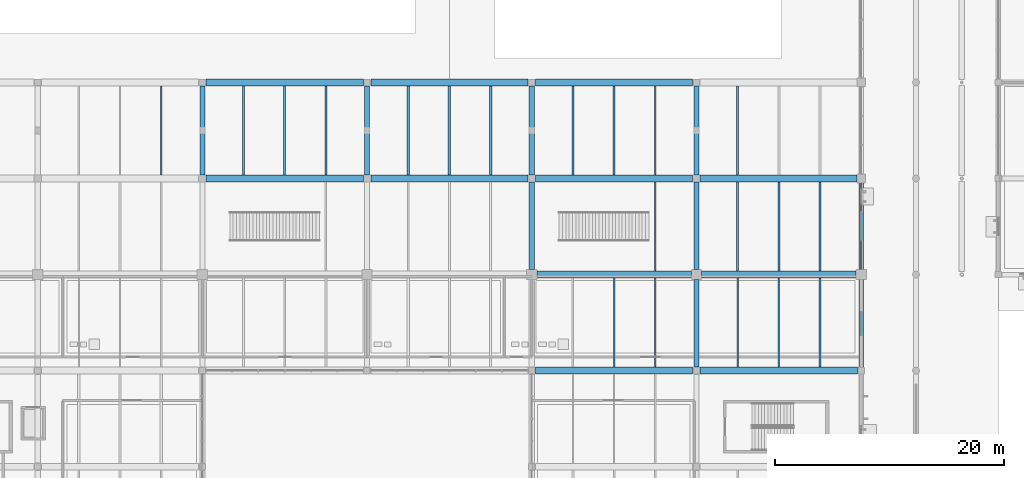
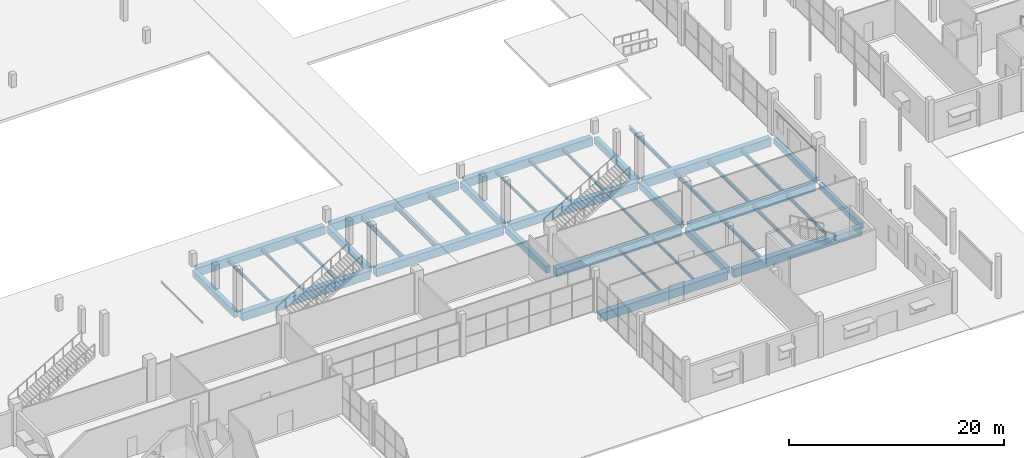
# One storey, part 33 of 130: 41 beams.
"""IFC4 building model written with IfcOpenShell, lengths in metres."""

from ifc_helpers import new_model, si_unit, direction, frame, origin, origin_2d, place, context, subcontext, project, spatial, rectangle, hollow_rectangle, i_section, extrude, material, material_profile, profile_set, type_object, element, save


model = new_model("IFC4")

# Units and contexts
model_context = context("Model", 3, precision=1e-05, world=origin(), true_north=direction((0.0, 1.0)))
body_context = subcontext(model_context, "Body", "Model", "MODEL_VIEW")
ifc_project = project(units=[si_unit("LENGTHUNIT", "METRE"), si_unit("AREAUNIT", "SQUARE_METRE"), si_unit("VOLUMEUNIT", "CUBIC_METRE"), si_unit("PLANEANGLEUNIT", "RADIAN"), si_unit("MASSUNIT", "GRAM", prefix="KILO"), si_unit("THERMODYNAMICTEMPERATUREUNIT", "KELVIN")], contexts=[model_context])

# Site, building, storey
site_placement = place(None, origin())
site = spatial("IfcSite", under=ifc_project, at=site_placement, CompositionType="ELEMENT")
building_placement = place(site_placement, origin())
building = spatial("IfcBuilding", under=site, at=building_placement, Name="Nduvali Passage Aquatics Centre", CompositionType="ELEMENT")
storey_placement = place(building_placement, origin())
storey = spatial("IfcBuildingStorey", under=building, at=storey_placement, Name="L00", CompositionType="ELEMENT", Elevation=0.0)

# Beams
ifc_material_1 = material(Name="Concrete C40/50", Category="concrete")
ifc_material_profile_1 = material_profile(ifc_material_1, rectangle(XDim=0.449951171875, YDim=0.75, at=origin_2d()), Name="RC 450x750")
ifc_profile_set_1 = profile_set([ifc_material_profile_1], Name="Concrete C40/50")
beam_type_1 = type_object("IfcBeamType", Name="STR-BM-RC4575", PredefinedType="BEAM", material=ifc_profile_set_1)
for number, where, z_axis, x_axis, name in (
    (1, (68.39990234375, 33.925048828125, -0.695068359375), (0.0, 1.0, 0.0), (-1.0, 0.0, 0.0), "L00 Primary Y-Girder B3-0155"),
    (2, (82.800048828125, 33.925048828125, -0.695068359375), (0.0, 1.0, 0.0), (-1.0, 0.0, 0.0), "L00 Primary Y-Girder B3-0163"),
):
    element("IfcBeam", number, at=place(storey_placement, frame(where, z_axis=z_axis, x_axis=x_axis)), inside=storey, type_object=beam_type_1, Name=name, PredefinedType="BEAM", context=body_context, shape_type="SweptSolid", body=[
        extrude(rectangle(XDim=0.449951171875, YDim=0.75, at=origin_2d()), origin(), (0.0, 0.0, 1.0), 7.75),
    ])
beam_1_placement = place(storey_placement, frame((97.199951171875, 25.64990234375, -0.695068359375), z_axis=(0.0, 1.0, 0.0), x_axis=(-1.0, 0.0, 0.0)))
element("IfcBeam", 3, at=beam_1_placement, inside=storey, type_object=beam_type_1, Name="L00 Primary Y-Girder B3-0172", PredefinedType="BEAM", context=body_context, shape_type="SweptSolid", body=[
    extrude(rectangle(XDim=0.449951171875, YDim=0.75, at=origin_2d()), origin(), (0.0, 0.0, 1.0), 7.625),
])
beam_2_placement = place(storey_placement, frame((97.199951171875, 33.925048828125, -0.695068359375), z_axis=(0.0, 1.0, 0.0), x_axis=(-1.0, 0.0, 0.0)))
element("IfcBeam", 4, at=beam_2_placement, inside=storey, type_object=beam_type_1, Name="L00 Primary Y-Girder B3-0173", PredefinedType="BEAM", context=body_context, shape_type="SweptSolid", body=[
    extrude(rectangle(XDim=0.449951171875, YDim=0.75, at=origin_2d()), origin(), (0.0, 0.0, 1.0), 7.75),
])
for number, where, z_axis, x_axis, name in (
    (5, (111.60009765625, 17.125, -0.675048828125), (0.0, 1.0, 0.0), (-1.0, 0.0, 0.0), "L00 Primary Y-Girder B3-0180"),
    (6, (111.60009765625, 25.64990234375, -0.695068359375), (0.0, 1.0, 0.0), (-1.0, 0.0, 0.0), "L00 Primary Y-Girder B3-0181"),
):
    element("IfcBeam", number, at=place(storey_placement, frame(where, z_axis=z_axis, x_axis=x_axis)), inside=storey, type_object=beam_type_1, Name=name, PredefinedType="BEAM", context=body_context, shape_type="SweptSolid", body=[
        extrude(rectangle(XDim=0.449951171875, YDim=0.75, at=origin_2d()), origin(), (0.0, 0.0, 1.0), 7.625),
    ])
beam_3_placement = place(storey_placement, frame((111.60009765625, 33.925048828125, -0.695068359375), z_axis=(0.0, 1.0, 0.0), x_axis=(-1.0, 0.0, 0.0)))
element("IfcBeam", 7, at=beam_3_placement, inside=storey, type_object=beam_type_1, Name="L00 Primary Y-Girder B3-0182", PredefinedType="BEAM", context=body_context, shape_type="SweptSolid", body=[
    extrude(rectangle(XDim=0.449951171875, YDim=0.75, at=origin_2d()), origin(), (0.0, 0.0, 1.0), 7.75),
])
ifc_material_profile_2 = material_profile(ifc_material_1, rectangle(XDim=0.60009765625, YDim=0.949951171875, at=origin_2d()), Name="RC 600x950")
ifc_profile_set_2 = profile_set([ifc_material_profile_2], Name="Concrete C40/50")
beam_type_2 = type_object("IfcBeamType", Name="STR-BM-RC6095", PredefinedType="BEAM", material=ifc_profile_set_2)
for number, where, z_axis, x_axis, name in (
    (8, (97.52490234375, 16.800048828125, -0.77490234375), (1.0, 0.0, 0.0), (0.0, 1.0, 0.0), "L00 Primary X-Girder B1-0013"),
    (9, (111.925048828125, 16.800048828125, -0.77490234375), (1.0, 0.0, 0.0), (0.0, 1.0, 0.0), "L00 Primary X-Girder B1-0014"),
    (10, (68.72509765625, 33.60009765625, -0.794921875), (1.0, 0.0, 0.0), (0.0, 1.0, 0.0), "L00 Primary X-Girder B1-0031"),
    (11, (83.125, 33.60009765625, -0.794921875), (1.0, 0.0, 0.0), (0.0, 1.0, 0.0), "L00 Primary X-Girder B1-0032"),
    (12, (97.52490234375, 33.60009765625, -0.794921875), (1.0, 0.0, 0.0), (0.0, 1.0, 0.0), "L00 Primary X-Girder B1-0033"),
):
    element("IfcBeam", number, at=place(storey_placement, frame(where, z_axis=z_axis, x_axis=x_axis)), inside=storey, type_object=beam_type_2, Name=name, PredefinedType="BEAM", context=body_context, shape_type="SweptSolid", body=[
        extrude(rectangle(XDim=0.60009765625, YDim=0.949951171875, at=origin_2d()), origin(), (0.0, 0.0, 1.0), 13.75),
    ])
beam_4_placement = place(storey_placement, frame((111.925048828125, 33.60009765625, -0.794921875), z_axis=(1.0, 0.0, 0.0), x_axis=(0.0, 1.0, 0.0)))
element("IfcBeam", 13, at=beam_4_placement, inside=storey, type_object=beam_type_2, Name="L00 Primary X-Girder B1-0034", PredefinedType="BEAM", context=body_context, shape_type="SweptSolid", body=[
    extrude(rectangle(XDim=0.60009765625, YDim=0.949951171875, at=origin_2d()), origin(), (0.0, 0.0, 1.0), 13.699951171875),
])
for number, where, z_axis, x_axis, name in (
    (14, (68.72509765625, 42.0, -0.794921875), (1.0, 0.0, 0.0), (0.0, 1.0, 0.0), "L00 Primary X-Girder B1-0044"),
    (15, (83.125, 42.0, -0.794921875), (1.0, 0.0, 0.0), (0.0, 1.0, 0.0), "L00 Primary X-Girder B1-0045"),
    (16, (97.52490234375, 42.0, -0.794921875), (1.0, 0.0, 0.0), (0.0, 1.0, 0.0), "L00 Primary X-Girder B1-0046"),
):
    element("IfcBeam", number, at=place(storey_placement, frame(where, z_axis=z_axis, x_axis=x_axis)), inside=storey, type_object=beam_type_2, Name=name, PredefinedType="BEAM", context=body_context, shape_type="SweptSolid", body=[
        extrude(rectangle(XDim=0.60009765625, YDim=0.949951171875, at=origin_2d()), origin(), (0.0, 0.0, 1.0), 13.75),
    ])
ifc_material_profile_3 = material_profile(ifc_material_1, rectangle(XDim=0.60009765625, YDim=0.949951171875, at=origin_2d()), Name="RC 600x950")
ifc_profile_set_3 = profile_set([ifc_material_profile_3], Name="Concrete C40/50")
beam_type_3 = type_object("IfcBeamType", Name="STR-BM-RC6095-EXT", PredefinedType="BEAM", material=ifc_profile_set_3)
for number, where, z_axis, x_axis, name in (
    (17, (97.64990234375, 25.199951171875, -0.794921875), (1.0, 0.0, 0.0), (0.0, 1.0, 0.0), "L00 Primary X-Girder B1E-0020"),
    (18, (112.050048828125, 25.199951171875, -0.794921875), (1.0, 0.0, 0.0), (0.0, 1.0, 0.0), "L00 Primary X-Girder B1E-0021"),
):
    element("IfcBeam", number, at=place(storey_placement, frame(where, z_axis=z_axis, x_axis=x_axis)), inside=storey, type_object=beam_type_3, Name=name, PredefinedType="BEAM", context=body_context, shape_type="SweptSolid", body=[
        extrude(rectangle(XDim=0.60009765625, YDim=0.949951171875, at=origin_2d()), origin(), (0.0, 0.0, 1.0), 13.5),
    ])
ifc_material_2 = material(Name="Steel S355", Category="steel")
ifc_material_profile_4 = material_profile(ifc_material_2, i_section(OverallWidth=0.110107421875, OverallDepth=0.219970703125, WebThickness=0.005859375, FlangeThickness=0.00927734375, FilletRadius=0.011962890625, at=origin_2d()), Name="IPE 220")
ifc_profile_set_4 = profile_set([ifc_material_profile_4], Name="Steel S355")
beam_type_4 = type_object("IfcBeamType", Name="STR-JST-IPE220", PredefinedType="JOIST", material=ifc_profile_set_4)
beam_5_placement = place(storey_placement, frame((64.800048828125, 33.89990234375, -0.43408203125), z_axis=(0.0, 1.0, 0.0), x_axis=(-1.0, 0.0, 0.0)))
element("IfcBeam", 19, at=beam_5_placement, inside=storey, type_object=beam_type_4, Name="L00 Secondary Joist J9-0316", PredefinedType="JOIST", context=body_context, shape_type="SweptSolid", body=[
    extrude(i_section(OverallWidth=0.110107421875, OverallDepth=0.219970703125, WebThickness=0.005859375, FlangeThickness=0.00927734375, FilletRadius=0.011962890625, at=origin_2d()), origin(), (0.0, 0.0, 1.0), 7.800048828125),
])
ifc_material_profile_5 = material_profile(ifc_material_2, i_section(OverallWidth=0.14990234375, OverallDepth=0.300048828125, WebThickness=0.007080078125, FlangeThickness=0.0107421875, FilletRadius=0.014892578125, at=origin_2d()), Name="IPE 300")
ifc_profile_set_5 = profile_set([ifc_material_profile_5], Name="Steel S355")
beam_type_5 = type_object("IfcBeamType", Name="STR-JST-IPE300", PredefinedType="JOIST", material=ifc_profile_set_5)
beam_6_placement = place(storey_placement, frame((108.0, 25.5, -0.47412109375), z_axis=(0.0, 1.0, 0.0), x_axis=(-1.0, 0.0, 0.0)))
element("IfcBeam", 20, at=beam_6_placement, inside=storey, type_object=beam_type_5, Name="L00 Secondary Joist J7-0299", PredefinedType="JOIST", context=body_context, shape_type="SweptSolid", body=[
    extrude(i_section(OverallWidth=0.14990234375, OverallDepth=0.300048828125, WebThickness=0.007080078125, FlangeThickness=0.0107421875, FilletRadius=0.014892578125, at=origin_2d()), origin(), (0.0, 0.0, 1.0), 7.800048828125),
])
ifc_material_profile_6 = material_profile(ifc_material_2, i_section(OverallWidth=0.169921875, OverallDepth=0.360107421875, WebThickness=0.008056640625, FlangeThickness=0.0126953125, FilletRadius=0.01806640625, at=origin_2d()), Name="IPE 360")
ifc_profile_set_6 = profile_set([ifc_material_profile_6], Name="Steel S355")
beam_type_6 = type_object("IfcBeamType", Name="STR-JST-IPE360", PredefinedType="JOIST", material=ifc_profile_set_6)
for number, where, z_axis, x_axis, name in (
    (21, (72.0, 33.89990234375, -0.50390625), (0.0, 1.0, 0.0), (-1.0, 0.0, 0.0), "L00 Secondary Joist J6-0317"),
    (22, (75.60009765625, 33.89990234375, -0.50390625), (0.0, 1.0, 0.0), (-1.0, 0.0, 0.0), "L00 Secondary Joist J6-0318"),
    (23, (79.199951171875, 33.89990234375, -0.50390625), (0.0, 1.0, 0.0), (-1.0, 0.0, 0.0), "L00 Secondary Joist J6-0319"),
):
    element("IfcBeam", number, at=place(storey_placement, frame(where, z_axis=z_axis, x_axis=x_axis)), inside=storey, type_object=beam_type_6, Name=name, PredefinedType="JOIST", context=body_context, shape_type="SweptSolid", body=[
        extrude(i_section(OverallWidth=0.169921875, OverallDepth=0.360107421875, WebThickness=0.008056640625, FlangeThickness=0.0126953125, FilletRadius=0.01806640625, at=origin_2d()), origin(), (0.0, 0.0, 1.0), 7.800048828125),
    ])
ifc_material_profile_7 = material_profile(ifc_material_2, i_section(OverallWidth=0.179931640625, OverallDepth=0.39990234375, WebThickness=0.008544921875, FlangeThickness=0.013427734375, FilletRadius=0.02099609375, at=origin_2d()), Name="IPE 400")
ifc_profile_set_7 = profile_set([ifc_material_profile_7], Name="Steel S355")
beam_type_7 = type_object("IfcBeamType", Name="STR-JST-IPE400", PredefinedType="JOIST", material=ifc_profile_set_7)
for number, where, z_axis, x_axis, name in (
    (24, (115.199951171875, 25.5, -0.52392578125), (0.0, 1.0, 0.0), (-1.0, 0.0, 0.0), "L00 Secondary Joist J5-0300"),
    (25, (118.800048828125, 25.5, -0.52392578125), (0.0, 1.0, 0.0), (-1.0, 0.0, 0.0), "L00 Secondary Joist J5-0301"),
    (26, (122.39990234375, 25.5, -0.52392578125), (0.0, 1.0, 0.0), (-1.0, 0.0, 0.0), "L00 Secondary Joist J5-0302"),
):
    element("IfcBeam", number, at=place(storey_placement, frame(where, z_axis=z_axis, x_axis=x_axis)), inside=storey, type_object=beam_type_7, Name=name, PredefinedType="JOIST", context=body_context, shape_type="SweptSolid", body=[
        extrude(i_section(OverallWidth=0.179931640625, OverallDepth=0.39990234375, WebThickness=0.008544921875, FlangeThickness=0.013427734375, FilletRadius=0.02099609375, at=origin_2d()), origin(), (0.0, 0.0, 1.0), 7.800048828125),
    ])
ifc_material_profile_8 = material_profile(ifc_material_2, i_section(OverallWidth=0.2099609375, OverallDepth=0.550048828125, WebThickness=0.010986328125, FlangeThickness=0.01708984375, FilletRadius=0.02392578125, at=origin_2d()), Name="IPE 550")
ifc_profile_set_8 = profile_set([ifc_material_profile_8], Name="Steel S355")
beam_type_8 = type_object("IfcBeamType", Name="STR-JST-IPE550", PredefinedType="JOIST", material=ifc_profile_set_8)
for number, where, z_axis, x_axis, name in (
    (27, (86.39990234375, 33.89990234375, -0.59912109375), (0.0, 1.0, 0.0), (-1.0, 0.0, 0.0), "L00 Secondary Joist J5C-0320"),
    (28, (90.0, 33.89990234375, -0.59912109375), (0.0, 1.0, 0.0), (-1.0, 0.0, 0.0), "L00 Secondary Joist J5C-0321"),
    (29, (93.60009765625, 33.89990234375, -0.59912109375), (0.0, 1.0, 0.0), (-1.0, 0.0, 0.0), "L00 Secondary Joist J5C-0322"),
):
    element("IfcBeam", number, at=place(storey_placement, frame(where, z_axis=z_axis, x_axis=x_axis)), inside=storey, type_object=beam_type_8, Name=name, PredefinedType="JOIST", context=body_context, shape_type="SweptSolid", body=[
        extrude(i_section(OverallWidth=0.2099609375, OverallDepth=0.550048828125, WebThickness=0.010986328125, FlangeThickness=0.01708984375, FilletRadius=0.02392578125, at=origin_2d()), origin(), (0.0, 0.0, 1.0), 7.800048828125),
    ])
ifc_material_profile_9 = material_profile(ifc_material_2, i_section(OverallWidth=0.165771484375, OverallDepth=0.306640625, WebThickness=0.006591796875, FlangeThickness=0.01171875, FilletRadius=0.0087890625, at=origin_2d()), Name="UKB 305x165x46")
ifc_profile_set_9 = profile_set([ifc_material_profile_9], Name="Steel S355")
beam_type_9 = type_object("IfcBeamType", Name="STR-JST-UKB305", PredefinedType="JOIST", material=ifc_profile_set_9)
for number, where, z_axis, x_axis, name in (
    (30, (100.800048828125, 33.89990234375, -0.477294921875), (0.0, 1.0, 0.0), (-1.0, 0.0, 0.0), "L00 Secondary Joist J3-0323"),
    (31, (104.39990234375, 33.89990234375, -0.477294921875), (0.0, 1.0, 0.0), (-1.0, 0.0, 0.0), "L00 Secondary Joist J3-0324"),
    (32, (108.0, 33.89990234375, -0.477294921875), (0.0, 1.0, 0.0), (-1.0, 0.0, 0.0), "L00 Secondary Joist J3-0325"),
):
    element("IfcBeam", number, at=place(storey_placement, frame(where, z_axis=z_axis, x_axis=x_axis)), inside=storey, type_object=beam_type_9, Name=name, PredefinedType="JOIST", context=body_context, shape_type="SweptSolid", body=[
        extrude(i_section(OverallWidth=0.165771484375, OverallDepth=0.306640625, WebThickness=0.006591796875, FlangeThickness=0.01171875, FilletRadius=0.0087890625, at=origin_2d()), origin(), (0.0, 0.0, 1.0), 7.800048828125),
    ])
ifc_material_profile_10 = material_profile(ifc_material_2, i_section(OverallWidth=0.124267578125, OverallDepth=0.30712890625, WebThickness=0.008056640625, FlangeThickness=0.01220703125, FilletRadius=0.0087890625, at=origin_2d()), Name="UKB 305x127x42")
ifc_profile_set_10 = profile_set([ifc_material_profile_10], Name="Steel S355")
beam_type_10 = type_object("IfcBeamType", Name="STR-JST-UKB305L", PredefinedType="JOIST", material=ifc_profile_set_10)
for number, where, z_axis, x_axis, name in (
    (33, (104.39990234375, 17.10009765625, -0.45751953125), (0.0, 1.0, 0.0), (-1.0, 0.0, 0.0), "L00 Secondary Joist J3A-0286"),
    (34, (108.0, 17.10009765625, -0.45751953125), (0.0, 1.0, 0.0), (-1.0, 0.0, 0.0), "L00 Secondary Joist J3A-0287"),
):
    element("IfcBeam", number, at=place(storey_placement, frame(where, z_axis=z_axis, x_axis=x_axis)), inside=storey, type_object=beam_type_10, Name=name, PredefinedType="JOIST", context=body_context, shape_type="SweptSolid", body=[
        extrude(i_section(OverallWidth=0.124267578125, OverallDepth=0.30712890625, WebThickness=0.008056640625, FlangeThickness=0.01220703125, FilletRadius=0.0087890625, at=origin_2d()), origin(), (0.0, 0.0, 1.0), 7.7998046875),
    ])
ifc_material_profile_11 = material_profile(ifc_material_2, i_section(OverallWidth=0.1787109375, OverallDepth=0.409423828125, WebThickness=0.0087890625, FlangeThickness=0.014404296875, FilletRadius=0.01025390625, at=origin_2d()), Name="UKB 406x178x67")
ifc_profile_set_11 = profile_set([ifc_material_profile_11], Name="Steel S355")
beam_type_11 = type_object("IfcBeamType", Name="STR-JST-UKB406", PredefinedType="JOIST", material=ifc_profile_set_11)
beam_7_placement = place(storey_placement, frame((115.199951171875, 33.89990234375, -0.52880859375), z_axis=(0.0, 1.0, 0.0), x_axis=(-1.0, 0.0, 0.0)))
element("IfcBeam", 35, at=beam_7_placement, inside=storey, type_object=beam_type_11, Name="L00 Secondary Joist J1-0326", PredefinedType="JOIST", context=body_context, shape_type="SweptSolid", body=[
    extrude(i_section(OverallWidth=0.1787109375, OverallDepth=0.409423828125, WebThickness=0.0087890625, FlangeThickness=0.014404296875, FilletRadius=0.01025390625, at=origin_2d()), origin(), (0.0, 0.0, 1.0), 7.800048828125),
])
ifc_material_profile_12 = material_profile(ifc_material_2, i_section(OverallWidth=0.14208984375, OverallDepth=0.4033203125, WebThickness=0.0068359375, FlangeThickness=0.01123046875, FilletRadius=0.01025390625, at=origin_2d()), Name="UKB 406x140x46")
ifc_profile_set_12 = profile_set([ifc_material_profile_12], Name="Steel S355")
beam_type_12 = type_object("IfcBeamType", Name="STR-JST-UKB406L", PredefinedType="JOIST", material=ifc_profile_set_12)
for number, where, z_axis, x_axis, name in (
    (36, (115.199951171875, 17.10009765625, -0.505615234375), (0.0, 1.0, 0.0), (-1.0, 0.0, 0.0), "L00 Secondary Joist J1B-0288"),
    (37, (118.800048828125, 17.10009765625, -0.505615234375), (0.0, 1.0, 0.0), (-1.0, 0.0, 0.0), "L00 Secondary Joist J1B-0289"),
    (38, (122.39990234375, 17.10009765625, -0.505615234375), (0.0, 1.0, 0.0), (-1.0, 0.0, 0.0), "L00 Secondary Joist J1B-0290"),
):
    element("IfcBeam", number, at=place(storey_placement, frame(where, z_axis=z_axis, x_axis=x_axis)), inside=storey, type_object=beam_type_12, Name=name, PredefinedType="JOIST", context=body_context, shape_type="SweptSolid", body=[
        extrude(i_section(OverallWidth=0.14208984375, OverallDepth=0.4033203125, WebThickness=0.0068359375, FlangeThickness=0.01123046875, FilletRadius=0.01025390625, at=origin_2d()), origin(), (0.0, 0.0, 1.0), 7.7998046875),
    ])
ifc_material_profile_13 = material_profile(ifc_material_2, hollow_rectangle(XDim=0.10009765625, YDim=0.179931640625, WallThickness=0.00634765625, at=origin_2d()), Name="RHS 180x100x6.3")
ifc_profile_set_13 = profile_set([ifc_material_profile_13], Name="Steel S355")
beam_type_13 = type_object("IfcBeamType", Name="STR-LNT-RHS180-EXT", PredefinedType="LINTEL", material=ifc_profile_set_13)
beam_8_placement = place(storey_placement, frame((126.0, 25.64990234375, 2.75), z_axis=(0.0, 1.0, 0.0), x_axis=(-1.0, 0.0, 0.0)))
element("IfcBeam", 39, at=beam_8_placement, inside=storey, type_object=beam_type_13, Name="Pool Hall South Passage Portal Lintel", PredefinedType="LINTEL", context=body_context, shape_type="SweptSolid", body=[
    extrude(hollow_rectangle(XDim=0.10009765625, YDim=0.179931640625, WallThickness=0.00634765625, at=origin_2d()), origin(), (0.0, 0.0, 1.0), 7.5751953125),
])
ifc_material_profile_14 = material_profile(ifc_material_1, rectangle(XDim=0.39990234375, YDim=0.64990234375, at=origin_2d()), Name="RC 400x650")
ifc_profile_set_14 = profile_set([ifc_material_profile_14], Name="Concrete C40/50")
beam_type_14 = type_object("IfcBeamType", Name="STR-SPN-RC4065-EXT", PredefinedType="SPANDREL", material=ifc_profile_set_14)
beam_9_placement = place(storey_placement, frame((126.0, 17.125, -0.625), z_axis=(0.0, 1.0, 0.0), x_axis=(-1.0, 0.0, 0.0)))
element("IfcBeam", 40, at=beam_9_placement, inside=storey, type_object=beam_type_14, Name="L00 Primary Y-Girder SP1E-0189", PredefinedType="SPANDREL", context=body_context, shape_type="SweptSolid", body=[
    extrude(rectangle(XDim=0.39990234375, YDim=0.64990234375, at=origin_2d()), origin(), (0.0, 0.0, 1.0), 7.625),
])
beam_10_placement = place(storey_placement, frame((126.0, 25.64990234375, -0.64501953125), z_axis=(0.0, 1.0, 0.0), x_axis=(-1.0, 0.0, 0.0)))
element("IfcBeam", 41, at=beam_10_placement, inside=storey, type_object=beam_type_14, Name="L00 Primary Y-Girder SP1E-0190", PredefinedType="SPANDREL", context=body_context, shape_type="SweptSolid", body=[
    extrude(rectangle(XDim=0.39990234375, YDim=0.64990234375, at=origin_2d()), origin(), (0.0, 0.0, 1.0), 7.5751953125),
])

save(model, "model.ifc")
